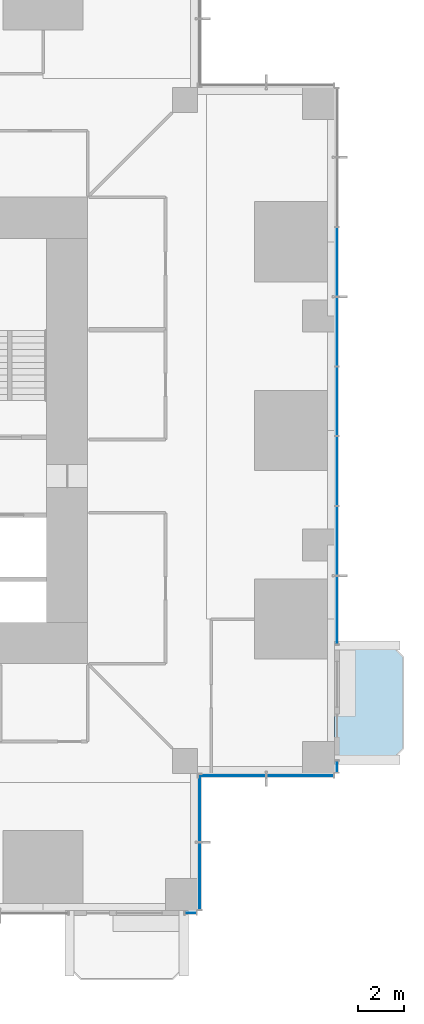
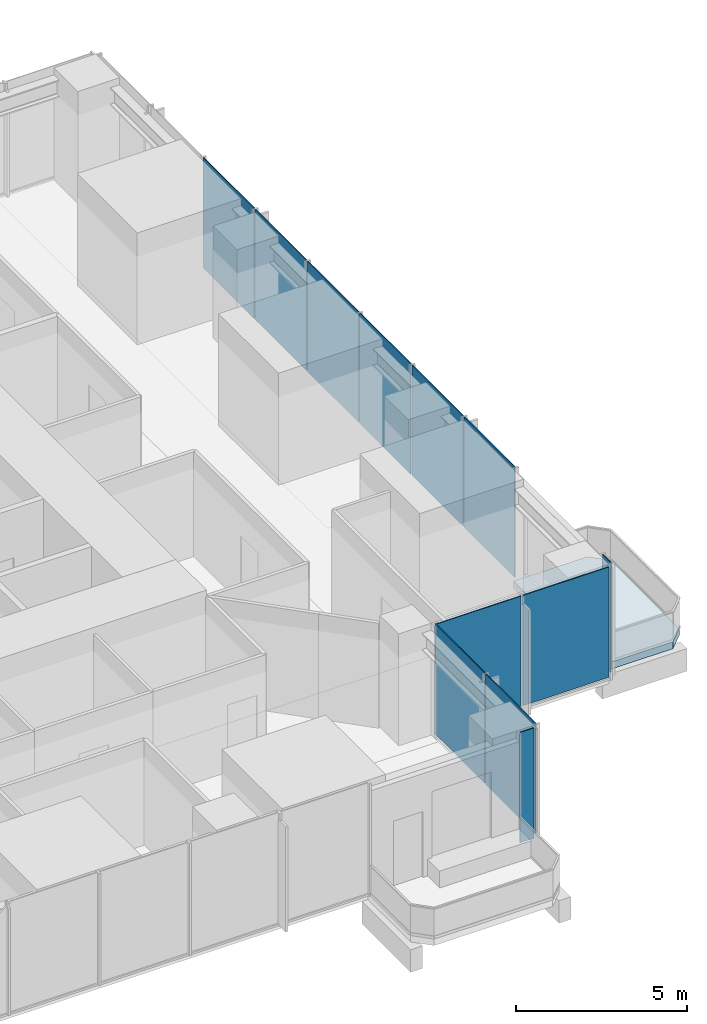
# One storey, part 8 of 15: 12 plates, 1 slab, 5 elements without a shape of their own.
"""IFC4 building model written with IfcOpenShell, lengths in metres."""

from ifc_helpers import new_model, si_unit, direction, frame, origin, origin_2d, place, context, subcontext, project, spatial, polyline, rectangle, outline, extrude, material, layer, layer_set, type_object, element, aggregate, save


model = new_model("IFC4")

# Units and contexts
model_context = context("Model", 3, precision=1e-05, world=origin(), true_north=direction((0.0, 1.0)))
body_context = subcontext(model_context, "Body", "Model", "MODEL_VIEW")
ifc_project = project(units=[si_unit("LENGTHUNIT", "METRE"), si_unit("AREAUNIT", "SQUARE_METRE"), si_unit("VOLUMEUNIT", "CUBIC_METRE"), si_unit("PLANEANGLEUNIT", "RADIAN"), si_unit("MASSUNIT", "GRAM", prefix="KILO")], contexts=[model_context])

# Site, building, storey
site_placement = place(None, origin())
site = spatial("IfcSite", under=ifc_project, at=site_placement, CompositionType="ELEMENT")
building_placement = place(site_placement, origin())
building = spatial("IfcBuilding", under=site, at=building_placement, Name="Svetlomir Tower", CompositionType="ELEMENT")
storey_placement = place(building_placement, frame((0.0, 0.0, 42.5)))
storey = spatial("IfcBuildingStorey", under=building, at=storey_placement, Name="L09", CompositionType="ELEMENT", Elevation=42.5)

# Slab
ifc_material_1 = material(Name="Concrete C60/75", Category="concrete")
ifc_layer_1 = layer(ifc_material_1, 0.25)
ifc_layer_set_1 = layer_set([ifc_layer_1], Name="Concrete C60/75")
slab_type = type_object("IfcSlabType", Name="BALCONY SLAB 250", PredefinedType="FLOOR", material=ifc_layer_set_1)
slab_placement = place(storey_placement, frame((0.0, 0.0, -0.25)))
element("IfcSlab", 1, at=slab_placement, inside=storey, type_object=slab_type, Name="L09 E planted balcony", PredefinedType="FLOOR", context=body_context, shape_type="SweptSolid", body=[
    extrude(outline(polyline([(42.0, 6.60009765625), (44.5, 6.60009765625), (45.0, 7.10009765625), (45.0, 11.10009765625), (44.5, 11.60009765625), (42.0, 11.60009765625), (42.0, 6.60009765625)])), origin(), (0.0, 0.0, 1.0), 0.25),
])

# Curtain wall, plate
ifc_material_2 = material(Name="Bronze anodised aluminium curtain wall", Category="aluminium")
curtain_wall_type = type_object("IfcCurtainWallType", Name="CURTAIN WALL CW1 TOWER OFFICE", PredefinedType="NOTDEFINED", material=ifc_material_2)
curtain_wall_1_placement = place(storey_placement, origin())
curtain_wall_1 = element("IfcCurtainWall", 2, at=curtain_wall_1_placement, inside=storey, type_object=curtain_wall_type, Name="Curtain wall CW1 L09", PredefinedType="NOTDEFINED")
ifc_material_3 = material(Name="Tinted double glazed unit", Category="glass")
ifc_layer_2 = layer(ifc_material_3, 0.031982421875)
ifc_layer_set_2 = layer_set([ifc_layer_2], Name="Tinted double glazed unit")
plate_type = type_object("IfcPlateType", Name="CW1 GLAZED PANEL 32", PredefinedType="CURTAIN_PANEL", material=ifc_layer_set_2)
plate_1_placement = place(storey_placement, frame((35.699951171875, -0.10009765625, 0.06494140625), z_axis=(0.0, 0.0, 1.0), x_axis=(1.0, 0.0, 0.0)))
plate_1 = element("IfcPlate", 3, at=plate_1_placement, type_object=plate_type, Name="CW1 panel 1.1", PredefinedType="CURTAIN_PANEL", context=body_context, shape_type="SweptSolid", body=[
    extrude(rectangle(XDim=0.469970703125, YDim=0.031982421875, at=origin_2d()), origin(), (0.0, 0.0, 1.0), 3.93505859375),
])
aggregate(curtain_wall_1, [plate_1])

# Curtain wall, plates
curtain_wall_2_placement = place(storey_placement, origin())
curtain_wall_2 = element("IfcCurtainWall", 4, at=curtain_wall_2_placement, inside=storey, type_object=curtain_wall_type, Name="Curtain wall CW1 L09", PredefinedType="NOTDEFINED")
plate_2_placement = place(storey_placement, frame((36.10009765625, 1.516357421875, 0.06494140625), z_axis=(0.0, 0.0, 1.0), x_axis=(0.0, 1.0, 0.0)))
plate_2 = element("IfcPlate", 5, at=plate_2_placement, type_object=plate_type, Name="CW1 panel 1.1", PredefinedType="CURTAIN_PANEL", context=body_context, shape_type="SweptSolid", body=[
    extrude(rectangle(XDim=2.902587890625, YDim=0.031982421875, at=origin_2d()), origin(), (0.0, 0.0, 1.0), 3.93505859375),
])
plate_3_placement = place(storey_placement, frame((36.10009765625, 4.483642578125, 0.06494140625), z_axis=(0.0, 0.0, 1.0), x_axis=(0.0, 1.0, 0.0)))
plate_3 = element("IfcPlate", 6, at=plate_3_placement, type_object=plate_type, Name="CW1 panel 2.1", PredefinedType="CURTAIN_PANEL", context=body_context, shape_type="SweptSolid", body=[
    extrude(rectangle(XDim=2.902587890625, YDim=0.031982421875, at=origin_2d()), origin(), (0.0, 0.0, 1.0), 3.93505859375),
])
aggregate(curtain_wall_2, [plate_2, plate_3])

curtain_wall_3_placement = place(storey_placement, origin())
curtain_wall_3 = element("IfcCurtainWall", 7, at=curtain_wall_3_placement, inside=storey, type_object=curtain_wall_type, Name="Curtain wall CW1 L09", PredefinedType="NOTDEFINED")
plate_4_placement = place(storey_placement, frame((37.516357421875, 5.89990234375, 0.06494140625), z_axis=(0.0, 0.0, 1.0), x_axis=(1.0, 0.0, 0.0)))
plate_4 = element("IfcPlate", 8, at=plate_4_placement, type_object=plate_type, Name="CW1 panel 1.1", PredefinedType="CURTAIN_PANEL", context=body_context, shape_type="SweptSolid", body=[
    extrude(rectangle(XDim=2.902587890625, YDim=0.031982421875, at=origin_2d()), origin(), (0.0, 0.0, 1.0), 3.93505859375),
])
plate_5_placement = place(storey_placement, frame((40.483642578125, 5.89990234375, 0.06494140625), z_axis=(0.0, 0.0, 1.0), x_axis=(1.0, 0.0, 0.0)))
plate_5 = element("IfcPlate", 9, at=plate_5_placement, type_object=plate_type, Name="CW1 panel 2.1", PredefinedType="CURTAIN_PANEL", context=body_context, shape_type="SweptSolid", body=[
    extrude(rectangle(XDim=2.902587890625, YDim=0.031982421875, at=origin_2d()), origin(), (0.0, 0.0, 1.0), 3.93505859375),
])
aggregate(curtain_wall_3, [plate_4, plate_5])

# Curtain wall, plate
curtain_wall_4_placement = place(storey_placement, origin())
curtain_wall_4 = element("IfcCurtainWall", 10, at=curtain_wall_4_placement, inside=storey, type_object=curtain_wall_type, Name="Curtain wall CW1 L09", PredefinedType="NOTDEFINED")
plate_6_placement = place(storey_placement, frame((42.10009765625, 6.300048828125, 0.06494140625), z_axis=(0.0, 0.0, 1.0), x_axis=(0.0, 1.0, 0.0)))
plate_6 = element("IfcPlate", 11, at=plate_6_placement, type_object=plate_type, Name="CW1 panel 1.1", PredefinedType="CURTAIN_PANEL", context=body_context, shape_type="SweptSolid", body=[
    extrude(rectangle(XDim=0.469970703125, YDim=0.031982421875, at=origin_2d()), origin(), (0.0, 0.0, 1.0), 3.93505859375),
])
aggregate(curtain_wall_4, [plate_6])

# Curtain wall, plates
curtain_wall_5_placement = place(storey_placement, origin())
curtain_wall_5 = element("IfcCurtainWall", 12, at=curtain_wall_5_placement, inside=storey, type_object=curtain_wall_type, Name="Curtain wall CW1 L09", PredefinedType="NOTDEFINED")
plate_7_placement = place(storey_placement, frame((42.10009765625, 13.141357421875, 0.06494140625), z_axis=(0.0, 0.0, 1.0), x_axis=(0.0, 1.0, 0.0)))
plate_7 = element("IfcPlate", 13, at=plate_7_placement, type_object=plate_type, Name="CW1 panel 1.1", PredefinedType="CURTAIN_PANEL", context=body_context, shape_type="SweptSolid", body=[
    extrude(rectangle(XDim=2.952392578125, YDim=0.031982421875, at=origin_2d()), origin(), (0.0, 0.0, 1.0), 3.93505859375),
])
plate_8_placement = place(storey_placement, frame((42.10009765625, 16.175048828125, 0.06494140625), z_axis=(0.0, 0.0, 1.0), x_axis=(0.0, 1.0, 0.0)))
plate_8 = element("IfcPlate", 14, at=plate_8_placement, type_object=plate_type, Name="CW1 panel 2.1", PredefinedType="CURTAIN_PANEL", context=body_context, shape_type="SweptSolid", body=[
    extrude(rectangle(XDim=2.985107421875, YDim=0.031982421875, at=origin_2d()), origin(), (0.0, 0.0, 1.0), 3.93505859375),
])
plate_9_placement = place(storey_placement, frame((42.10009765625, 19.22509765625, 0.06494140625), z_axis=(0.0, 0.0, 1.0), x_axis=(0.0, 1.0, 0.0)))
plate_9 = element("IfcPlate", 15, at=plate_9_placement, type_object=plate_type, Name="CW1 panel 3.1", PredefinedType="CURTAIN_PANEL", context=body_context, shape_type="SweptSolid", body=[
    extrude(rectangle(XDim=2.985107421875, YDim=0.031982421875, at=origin_2d()), origin(), (0.0, 0.0, 1.0), 3.93505859375),
])
plate_10_placement = place(storey_placement, frame((42.10009765625, 22.27490234375, 0.06494140625), z_axis=(0.0, 0.0, 1.0), x_axis=(0.0, 1.0, 0.0)))
plate_10 = element("IfcPlate", 16, at=plate_10_placement, type_object=plate_type, Name="CW1 panel 4.1", PredefinedType="CURTAIN_PANEL", context=body_context, shape_type="SweptSolid", body=[
    extrude(rectangle(XDim=2.985107421875, YDim=0.031982421875, at=origin_2d()), origin(), (0.0, 0.0, 1.0), 3.93505859375),
])
plate_11_placement = place(storey_placement, frame((42.10009765625, 25.324951171875, 0.06494140625), z_axis=(0.0, 0.0, 1.0), x_axis=(0.0, 1.0, 0.0)))
plate_11 = element("IfcPlate", 17, at=plate_11_placement, type_object=plate_type, Name="CW1 panel 5.1", PredefinedType="CURTAIN_PANEL", context=body_context, shape_type="SweptSolid", body=[
    extrude(rectangle(XDim=2.985107421875, YDim=0.031982421875, at=origin_2d()), origin(), (0.0, 0.0, 1.0), 3.93505859375),
])
plate_12_placement = place(storey_placement, frame((42.10009765625, 28.375, 0.06494140625), z_axis=(0.0, 0.0, 1.0), x_axis=(0.0, 1.0, 0.0)))
plate_12 = element("IfcPlate", 18, at=plate_12_placement, type_object=plate_type, Name="CW1 panel 6.1", PredefinedType="CURTAIN_PANEL", context=body_context, shape_type="SweptSolid", body=[
    extrude(rectangle(XDim=2.985107421875, YDim=0.031982421875, at=origin_2d()), origin(), (0.0, 0.0, 1.0), 3.93505859375),
])
aggregate(curtain_wall_5, [plate_7, plate_8, plate_9, plate_10, plate_11, plate_12])

save(model, "model.ifc")
